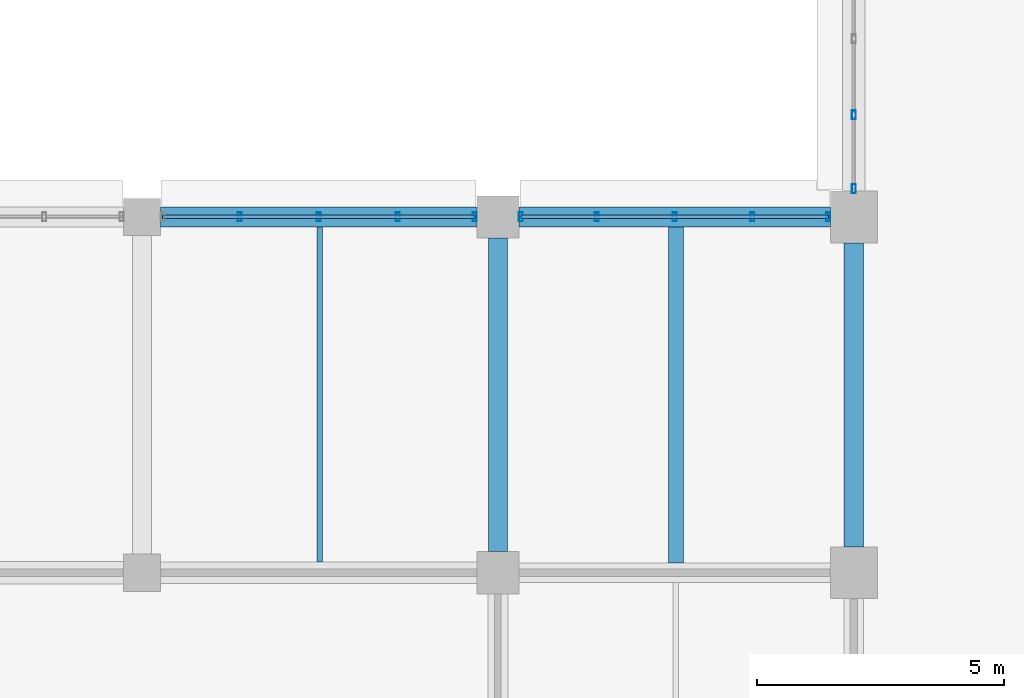
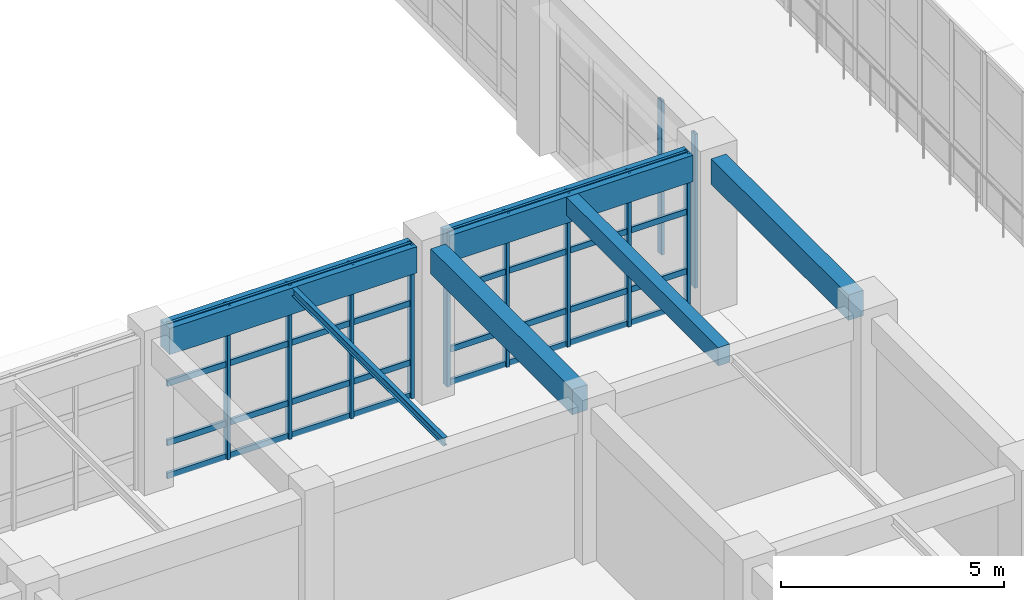
# One storey, part 41 of 171: 19 members, 6 beams, 3 elements without a shape of their own.
"""IFC4 building model written with IfcOpenShell, lengths in metres."""

from ifc_helpers import new_model, si_unit, direction, frame, origin, origin_2d, place, context, subcontext, project, spatial, rectangle, hollow_rectangle, i_section, extrude, material, material_profile, profile_set, type_object, element, aggregate, save


model = new_model("IFC4")

# Units and contexts
model_context = context("Model", 3, precision=1e-05, world=origin(), true_north=direction((0.0, 1.0)))
body_context = subcontext(model_context, "Body", "Model", "MODEL_VIEW")
ifc_project = project(units=[si_unit("LENGTHUNIT", "METRE"), si_unit("AREAUNIT", "SQUARE_METRE"), si_unit("VOLUMEUNIT", "CUBIC_METRE"), si_unit("PLANEANGLEUNIT", "RADIAN"), si_unit("MASSUNIT", "GRAM", prefix="KILO")], contexts=[model_context])

# Site, building, storey
site_placement = place(None, origin())
site = spatial("IfcSite", under=ifc_project, at=site_placement, CompositionType="ELEMENT")
building_placement = place(site_placement, origin())
building = spatial("IfcBuilding", under=site, at=building_placement, Name="Thalmaran Polytechnic", CompositionType="ELEMENT")
storey_placement = place(building_placement, frame((0.0, 0.0, 5.39990234375)))
storey = spatial("IfcBuildingStorey", under=building, at=storey_placement, Name="L01", CompositionType="ELEMENT", Elevation=5.39990234375)

# Beams
ifc_material_1 = material(Name="Concrete C40/50", Category="concrete")
ifc_material_profile_1 = material_profile(ifc_material_1, rectangle(XDim=0.389892578125, YDim=0.695068359375, at=origin_2d()), Name="RC 390x695")
ifc_profile_set_1 = profile_set([ifc_material_profile_1], Name="Concrete C40/50")
beam_type_1 = type_object("IfcBeamType", Name="BM-RC10", PredefinedType="BEAM", material=ifc_profile_set_1)
beam_1_placement = place(storey_placement, frame((100.800048828125, 29.22509765625, 3.862548828125), z_axis=(0.0, 1.0, 0.0), x_axis=(-1.0, 0.0, 0.0)))
element("IfcBeam", 1, at=beam_1_placement, inside=storey, type_object=beam_type_1, Name="Grid Beam B10 L01 Y(14,4)", PredefinedType="BEAM", context=body_context, shape_type="SweptSolid", body=[
    extrude(rectangle(XDim=0.389892578125, YDim=0.695068359375, at=origin_2d()), origin(), (0.0, 0.0, 1.0), 6.349853515625),
])
beam_2_placement = place(storey_placement, frame((108.0, 29.324951171875, 3.862548828125), z_axis=(0.0, 1.0, 0.0), x_axis=(-1.0, 0.0, 0.0)))
element("IfcBeam", 2, at=beam_2_placement, inside=storey, type_object=beam_type_1, Name="Grid Beam B10 L01 Y(15,4)", PredefinedType="BEAM", context=body_context, shape_type="SweptSolid", body=[
    extrude(rectangle(XDim=0.389892578125, YDim=0.695068359375, at=origin_2d()), origin(), (0.0, 0.0, 1.0), 6.150146484375),
])
ifc_material_profile_2 = material_profile(ifc_material_1, rectangle(XDim=0.300048828125, YDim=0.5, at=origin_2d()), Name="RC 300x500")
ifc_profile_set_2 = profile_set([ifc_material_profile_2], Name="Concrete C40/50")
beam_type_2 = type_object("IfcBeamType", Name="BM-RC11", PredefinedType="JOIST", material=ifc_profile_set_2)
beam_3_placement = place(storey_placement, frame((104.39990234375, 29.0, 3.960205078125), z_axis=(0.0, 1.0, 0.0), x_axis=(-1.0, 0.0, 0.0)))
element("IfcBeam", 3, at=beam_3_placement, inside=storey, type_object=beam_type_2, Name="Secondary Floor Rib RB01 L01 (14,4)", PredefinedType="JOIST", context=body_context, shape_type="SweptSolid", body=[
    extrude(rectangle(XDim=0.300048828125, YDim=0.5, at=origin_2d()), origin(), (0.0, 0.0, 1.0), 6.800048828125),
])
ifc_material_2 = material(Name="Steel S355", Category="steel")
ifc_material_profile_3 = material_profile(ifc_material_2, i_section(OverallWidth=0.110107421875, OverallDepth=0.219970703125, WebThickness=0.005859375, FlangeThickness=0.00927734375, at=origin_2d()), Name="IPE 220")
ifc_profile_set_3 = profile_set([ifc_material_profile_3], Name="Steel S355")
beam_type_3 = type_object("IfcBeamType", Name="BM-SJ04", PredefinedType="JOIST", material=ifc_profile_set_3)
beam_4_placement = place(storey_placement, frame((97.199951171875, 29.02001953125, 4.10009765625), z_axis=(0.0, 1.0, 0.0), x_axis=(-1.0, 0.0, 0.0)))
element("IfcBeam", 4, at=beam_4_placement, inside=storey, type_object=beam_type_3, Name="Secondary Floor Rib SJ04 L01 (13,4)", PredefinedType="JOIST", context=body_context, shape_type="SweptSolid", body=[
    extrude(i_section(OverallWidth=0.110107421875, OverallDepth=0.219970703125, WebThickness=0.005859375, FlangeThickness=0.00927734375, at=origin_2d()), origin(), (0.0, 0.0, 1.0), 6.780029296875),
])
ifc_material_profile_4 = material_profile(ifc_material_1, rectangle(XDim=0.39990234375, YDim=0.719970703125, at=origin_2d()), Name="RC 400x720")
ifc_profile_set_4 = profile_set([ifc_material_profile_4], Name="Concrete C40/50")
beam_type_4 = type_object("IfcBeamType", Name="BM-SP01", PredefinedType="SPANDREL", material=ifc_profile_set_4)
beam_5_placement = place(storey_placement, frame((93.97509765625, 36.0, 3.85009765625), z_axis=(1.0, 0.0, 0.0), x_axis=(0.0, 1.0, 0.0)))
element("IfcBeam", 5, at=beam_5_placement, inside=storey, type_object=beam_type_4, Name="Grid Beam SP01 L01 X(13,5)", PredefinedType="SPANDREL", context=body_context, shape_type="SweptSolid", body=[
    extrude(rectangle(XDim=0.39990234375, YDim=0.719970703125, at=origin_2d()), origin(), (0.0, 0.0, 1.0), 6.39990234375),
])
beam_6_placement = place(storey_placement, frame((101.22509765625, 36.0, 3.85009765625), z_axis=(1.0, 0.0, 0.0), x_axis=(0.0, 1.0, 0.0)))
element("IfcBeam", 6, at=beam_6_placement, inside=storey, type_object=beam_type_4, Name="Grid Beam SP01 L01 X(14,5)", PredefinedType="SPANDREL", context=body_context, shape_type="SweptSolid", body=[
    extrude(rectangle(XDim=0.39990234375, YDim=0.719970703125, at=origin_2d()), origin(), (0.0, 0.0, 1.0), 6.2998046875),
])

# Curtain wall, members
ifc_material_3 = material(Name="Aluminium 6063-T6", Category="aluminium")
curtain_wall_type = type_object("IfcCurtainWallType", Name="CW-UC02", PredefinedType="USERDEFINED", material=ifc_material_3)
curtain_wall_1_placement = place(storey_placement, origin())
curtain_wall_1 = element("IfcCurtainWall", 7, at=curtain_wall_1_placement, inside=storey, type_object=curtain_wall_type, Name="Curtain Wall CW-L01-172", ObjectType="UNITISED CURTAIN WALL", PredefinedType="USERDEFINED")
ifc_material_profile_5 = material_profile(ifc_material_3, hollow_rectangle(XDim=0.080078125, YDim=0.179931640625, WallThickness=0.0048828125, at=origin_2d()), Name="RHS 180x80x5.0")
ifc_profile_set_5 = profile_set([ifc_material_profile_5], Name="Aluminium 6063-T6")
member_type_1 = type_object("IfcMemberType", Name="CW-MUL1", PredefinedType="MULLION", material=ifc_profile_set_5)
member_1_placement = place(storey_placement, frame((95.574951171875, 36.0, 0.0), z_axis=(0.0, 0.0, 1.0), x_axis=(1.0, 0.0, 0.0)))
member_1 = element("IfcMember", 8, at=member_1_placement, type_object=member_type_1, Name="CW-L01-172 Mullion 2", PredefinedType="MULLION", context=body_context, shape_type="SweptSolid", body=[
    extrude(hollow_rectangle(XDim=0.080078125, YDim=0.179931640625, WallThickness=0.0048828125, at=origin_2d()), origin(), (0.0, 0.0, 1.0), 4.210205078125),
])
member_2_placement = place(storey_placement, frame((97.175048828125, 36.0, 0.0), z_axis=(0.0, 0.0, 1.0), x_axis=(1.0, 0.0, 0.0)))
member_2 = element("IfcMember", 9, at=member_2_placement, type_object=member_type_1, Name="CW-L01-172 Mullion 3", PredefinedType="MULLION", context=body_context, shape_type="SweptSolid", body=[
    extrude(hollow_rectangle(XDim=0.080078125, YDim=0.179931640625, WallThickness=0.0048828125, at=origin_2d()), origin(), (0.0, 0.0, 1.0), 4.210205078125),
])
member_3_placement = place(storey_placement, frame((98.77490234375, 36.0, 0.0), z_axis=(0.0, 0.0, 1.0), x_axis=(1.0, 0.0, 0.0)))
member_3 = element("IfcMember", 10, at=member_3_placement, type_object=member_type_1, Name="CW-L01-172 Mullion 4", PredefinedType="MULLION", context=body_context, shape_type="SweptSolid", body=[
    extrude(hollow_rectangle(XDim=0.080078125, YDim=0.179931640625, WallThickness=0.0048828125, at=origin_2d()), origin(), (0.0, 0.0, 1.0), 4.210205078125),
])
member_4_placement = place(storey_placement, frame((100.3349609375, 36.0, 0.0), z_axis=(0.0, 0.0, 1.0), x_axis=(1.0, 0.0, 0.0)))
member_4 = element("IfcMember", 11, at=member_4_placement, type_object=member_type_1, Name="CW-L01-172 Mullion 5", PredefinedType="MULLION", context=body_context, shape_type="SweptSolid", body=[
    extrude(hollow_rectangle(XDim=0.080078125, YDim=0.179931640625, WallThickness=0.0048828125, at=origin_2d()), origin(), (0.0, 0.0, 1.0), 4.210205078125),
])

curtain_wall_2_placement = place(storey_placement, origin())
curtain_wall_2 = element("IfcCurtainWall", 12, at=curtain_wall_2_placement, inside=storey, type_object=curtain_wall_type, Name="Curtain Wall CW-L01-173", ObjectType="UNITISED CURTAIN WALL", PredefinedType="USERDEFINED")
member_5_placement = place(storey_placement, frame((101.264892578125, 36.0, 0.0), z_axis=(0.0, 0.0, 1.0), x_axis=(1.0, 0.0, 0.0)))
member_5 = element("IfcMember", 13, at=member_5_placement, type_object=member_type_1, Name="CW-L01-173 Mullion 1", PredefinedType="MULLION", context=body_context, shape_type="SweptSolid", body=[
    extrude(hollow_rectangle(XDim=0.080078125, YDim=0.179931640625, WallThickness=0.0048828125, at=origin_2d()), origin(), (0.0, 0.0, 1.0), 4.210205078125),
])
member_6_placement = place(storey_placement, frame((102.800048828125, 36.0, 0.0), z_axis=(0.0, 0.0, 1.0), x_axis=(1.0, 0.0, 0.0)))
member_6 = element("IfcMember", 14, at=member_6_placement, type_object=member_type_1, Name="CW-L01-173 Mullion 2", PredefinedType="MULLION", context=body_context, shape_type="SweptSolid", body=[
    extrude(hollow_rectangle(XDim=0.080078125, YDim=0.179931640625, WallThickness=0.0048828125, at=origin_2d()), origin(), (0.0, 0.0, 1.0), 4.210205078125),
])
member_7_placement = place(storey_placement, frame((104.375, 36.0, 0.0), z_axis=(0.0, 0.0, 1.0), x_axis=(1.0, 0.0, 0.0)))
member_7 = element("IfcMember", 15, at=member_7_placement, type_object=member_type_1, Name="CW-L01-173 Mullion 3", PredefinedType="MULLION", context=body_context, shape_type="SweptSolid", body=[
    extrude(hollow_rectangle(XDim=0.080078125, YDim=0.179931640625, WallThickness=0.0048828125, at=origin_2d()), origin(), (0.0, 0.0, 1.0), 4.210205078125),
])
member_8_placement = place(storey_placement, frame((105.949951171875, 36.0, 0.0), z_axis=(0.0, 0.0, 1.0), x_axis=(1.0, 0.0, 0.0)))
member_8 = element("IfcMember", 16, at=member_8_placement, type_object=member_type_1, Name="CW-L01-173 Mullion 4", PredefinedType="MULLION", context=body_context, shape_type="SweptSolid", body=[
    extrude(hollow_rectangle(XDim=0.080078125, YDim=0.179931640625, WallThickness=0.0048828125, at=origin_2d()), origin(), (0.0, 0.0, 1.0), 4.210205078125),
])
member_9_placement = place(storey_placement, frame((107.485107421875, 36.0, 0.0), z_axis=(0.0, 0.0, 1.0), x_axis=(1.0, 0.0, 0.0)))
member_9 = element("IfcMember", 17, at=member_9_placement, type_object=member_type_1, Name="CW-L01-173 Mullion 5", PredefinedType="MULLION", context=body_context, shape_type="SweptSolid", body=[
    extrude(hollow_rectangle(XDim=0.080078125, YDim=0.179931640625, WallThickness=0.0048828125, at=origin_2d()), origin(), (0.0, 0.0, 1.0), 4.210205078125),
])

curtain_wall_3_placement = place(storey_placement, origin())
curtain_wall_3 = element("IfcCurtainWall", 18, at=curtain_wall_3_placement, inside=storey, type_object=curtain_wall_type, Name="Curtain Wall CW-L01-174", ObjectType="UNITISED CURTAIN WALL", PredefinedType="USERDEFINED")
member_10_placement = place(storey_placement, frame((108.0, 36.56494140625, 0.0), z_axis=(0.0, 0.0, 1.0), x_axis=(1.0, 0.0, 0.0)))
member_10 = element("IfcMember", 19, at=member_10_placement, type_object=member_type_1, Name="CW-L01-174 Mullion 1", PredefinedType="MULLION", context=body_context, shape_type="SweptSolid", body=[
    extrude(hollow_rectangle(XDim=0.080078125, YDim=0.179931640625, WallThickness=0.0048828125, at=origin_2d()), origin(), (0.0, 0.0, 1.0), 4.210205078125),
])
member_11_placement = place(storey_placement, frame((108.0, 38.0625, 0.0), z_axis=(0.0, 0.0, 1.0), x_axis=(1.0, 0.0, 0.0)))
member_11 = element("IfcMember", 20, at=member_11_placement, type_object=member_type_1, Name="CW-L01-174 Mullion 2", PredefinedType="MULLION", context=body_context, shape_type="SweptSolid", body=[
    extrude(hollow_rectangle(XDim=0.080078125, YDim=0.179931640625, WallThickness=0.0048828125, at=origin_2d()), origin(), (0.0, 0.0, 1.0), 4.210205078125),
])
aggregate(curtain_wall_3, [member_10, member_11])

# Member
ifc_material_profile_6 = material_profile(ifc_material_3, hollow_rectangle(XDim=0.070068359375, YDim=0.159912109375, WallThickness=0.00390625, at=origin_2d()), Name="AL 160x70x4.0")
ifc_profile_set_6 = profile_set([ifc_material_profile_6], Name="Aluminium 6063-T6")
member_type_2 = type_object("IfcMemberType", Name="CW-TRN1", PredefinedType="USERDEFINED", material=ifc_profile_set_6)
member_12_placement = place(storey_placement, frame((94.014892578125, 36.0, 0.06005859375), z_axis=(1.0, 0.0, 0.0), x_axis=(0.0, 1.0, 0.0)))
member_12 = element("IfcMember", 21, at=member_12_placement, type_object=member_type_2, Name="CW-L01-172 Transom 1", ObjectType="TRANSOM", PredefinedType="USERDEFINED", context=body_context, shape_type="SweptSolid", body=[
    extrude(hollow_rectangle(XDim=0.070068359375, YDim=0.159912109375, WallThickness=0.00390625, at=origin_2d()), origin(), (0.0, 0.0, 1.0), 6.320068359375),
])

member_13_placement = place(storey_placement, frame((94.014892578125, 36.0, 0.960205078125), z_axis=(1.0, 0.0, 0.0), x_axis=(0.0, 1.0, 0.0)))
member_13 = element("IfcMember", 22, at=member_13_placement, type_object=member_type_2, Name="CW-L01-172 Transom 2", ObjectType="TRANSOM", PredefinedType="USERDEFINED", context=body_context, shape_type="SweptSolid", body=[
    extrude(hollow_rectangle(XDim=0.070068359375, YDim=0.159912109375, WallThickness=0.00390625, at=origin_2d()), origin(), (0.0, 0.0, 1.0), 6.320068359375),
])

member_14_placement = place(storey_placement, frame((94.014892578125, 36.0, 2.585205078125), z_axis=(1.0, 0.0, 0.0), x_axis=(0.0, 1.0, 0.0)))
member_14 = element("IfcMember", 23, at=member_14_placement, type_object=member_type_2, Name="CW-L01-172 Transom 3", ObjectType="TRANSOM", PredefinedType="USERDEFINED", context=body_context, shape_type="SweptSolid", body=[
    extrude(hollow_rectangle(XDim=0.070068359375, YDim=0.159912109375, WallThickness=0.00390625, at=origin_2d()), origin(), (0.0, 0.0, 1.0), 6.320068359375),
])

member_15_placement = place(storey_placement, frame((94.014892578125, 36.0, 4.150146484375), z_axis=(1.0, 0.0, 0.0), x_axis=(0.0, 1.0, 0.0)))
member_15 = element("IfcMember", 24, at=member_15_placement, type_object=member_type_2, Name="CW-L01-172 Transom 4", ObjectType="TRANSOM", PredefinedType="USERDEFINED", context=body_context, shape_type="SweptSolid", body=[
    extrude(hollow_rectangle(XDim=0.070068359375, YDim=0.159912109375, WallThickness=0.00390625, at=origin_2d()), origin(), (0.0, 0.0, 1.0), 6.320068359375),
])

aggregate(curtain_wall_1, [member_1, member_2, member_3, member_4, member_12, member_13, member_14, member_15])

member_16_placement = place(storey_placement, frame((101.264892578125, 36.0, 0.06005859375), z_axis=(1.0, 0.0, 0.0), x_axis=(0.0, 1.0, 0.0)))
member_16 = element("IfcMember", 25, at=member_16_placement, type_object=member_type_2, Name="CW-L01-173 Transom 1", ObjectType="TRANSOM", PredefinedType="USERDEFINED", context=body_context, shape_type="SweptSolid", body=[
    extrude(hollow_rectangle(XDim=0.070068359375, YDim=0.159912109375, WallThickness=0.00390625, at=origin_2d()), origin(), (0.0, 0.0, 1.0), 6.22021484375),
])

member_17_placement = place(storey_placement, frame((101.264892578125, 36.0, 0.960205078125), z_axis=(1.0, 0.0, 0.0), x_axis=(0.0, 1.0, 0.0)))
member_17 = element("IfcMember", 26, at=member_17_placement, type_object=member_type_2, Name="CW-L01-173 Transom 2", ObjectType="TRANSOM", PredefinedType="USERDEFINED", context=body_context, shape_type="SweptSolid", body=[
    extrude(hollow_rectangle(XDim=0.070068359375, YDim=0.159912109375, WallThickness=0.00390625, at=origin_2d()), origin(), (0.0, 0.0, 1.0), 6.22021484375),
])

member_18_placement = place(storey_placement, frame((101.264892578125, 36.0, 2.585205078125), z_axis=(1.0, 0.0, 0.0), x_axis=(0.0, 1.0, 0.0)))
member_18 = element("IfcMember", 27, at=member_18_placement, type_object=member_type_2, Name="CW-L01-173 Transom 3", ObjectType="TRANSOM", PredefinedType="USERDEFINED", context=body_context, shape_type="SweptSolid", body=[
    extrude(hollow_rectangle(XDim=0.070068359375, YDim=0.159912109375, WallThickness=0.00390625, at=origin_2d()), origin(), (0.0, 0.0, 1.0), 6.22021484375),
])

member_19_placement = place(storey_placement, frame((101.264892578125, 36.0, 4.150146484375), z_axis=(1.0, 0.0, 0.0), x_axis=(0.0, 1.0, 0.0)))
member_19 = element("IfcMember", 28, at=member_19_placement, type_object=member_type_2, Name="CW-L01-173 Transom 4", ObjectType="TRANSOM", PredefinedType="USERDEFINED", context=body_context, shape_type="SweptSolid", body=[
    extrude(hollow_rectangle(XDim=0.070068359375, YDim=0.159912109375, WallThickness=0.00390625, at=origin_2d()), origin(), (0.0, 0.0, 1.0), 6.22021484375),
])

aggregate(curtain_wall_2, [member_5, member_6, member_7, member_8, member_9, member_16, member_17, member_18, member_19])

save(model, "model.ifc")
